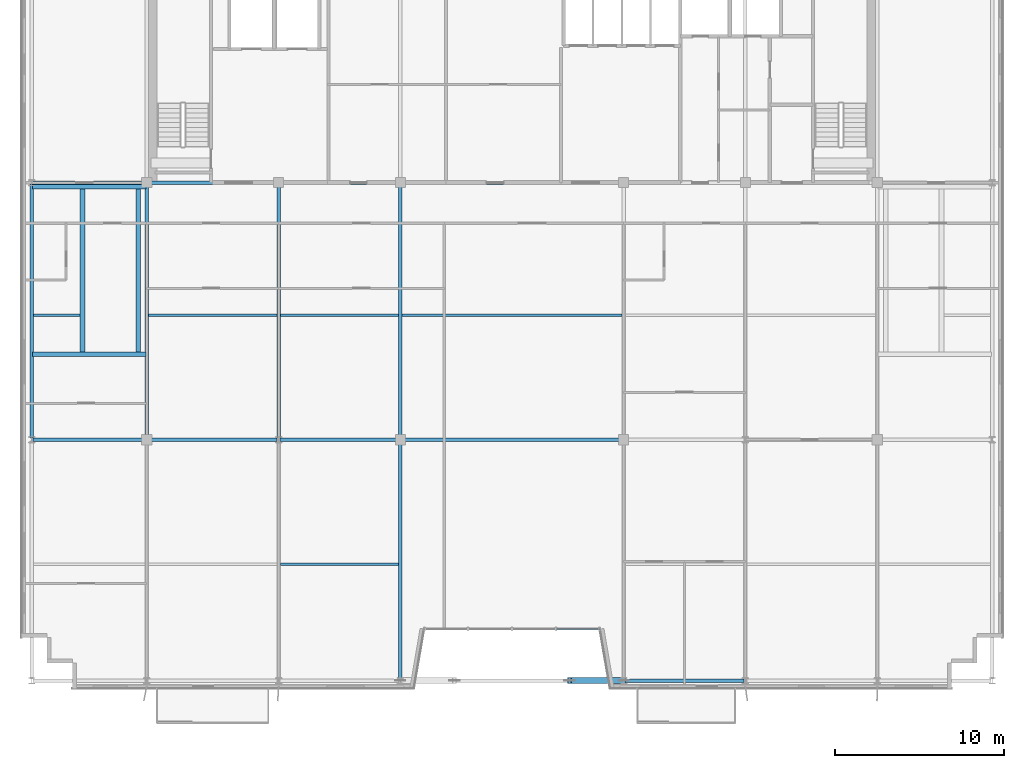
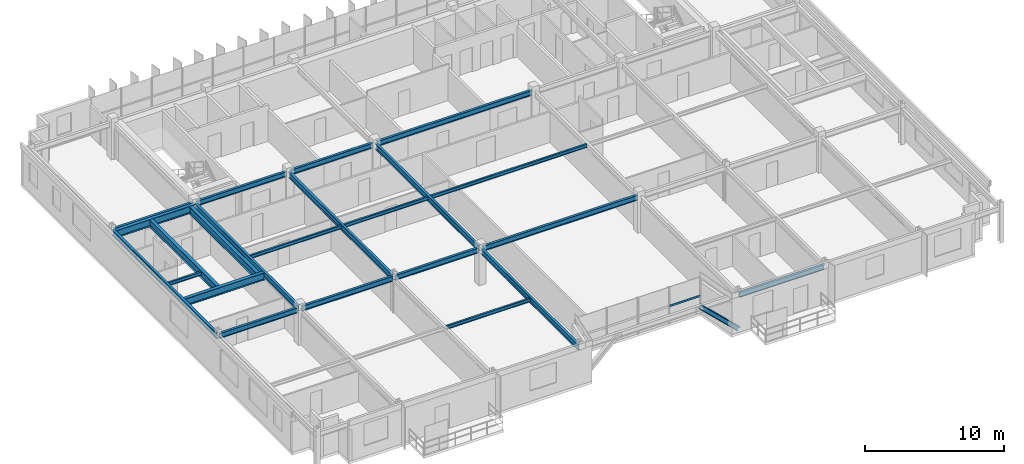
# One storey, part 7 of 26: 23 beams, 2 members, 1 element without a shape of its own.
"""IFC4 building model written with IfcOpenShell, lengths in metres."""

import ifcopenshell
import ifcopenshell.guid

model = None  # the IFC model being written
_history = None  # IfcOwnerHistory: only IFC2X3 demands one
_inside = {}  # id of a spatial element -> (the spatial element, [elements in it])
_under = {}  # id of a project, library or spatial element -> (it, [spatial elements below it])
_declared = {}  # id of a project -> (the project, [libraries it declares])
_typed = {}  # id of a type object -> (the type object, [elements of that type])
_made_of = {}  # id of a material, layer set ... -> (it, [elements and type objects made of it])


def new_model(schema):
    """Start an empty IFC model of exactly this schema.

    Asked for "IFC4X3", IfcOpenShell would pick the latest addendum, in which some entities
    have other attributes; the version numbers below select the first issue.
    IFC2X3 requires an IfcOwnerHistory on every rooted entity: one is made here for all.
    """
    global model, _history
    if schema == "IFC4X3":
        model = ifcopenshell.file(schema_version=(4, 3, 0, 0))
    else:
        model = ifcopenshell.file(schema=schema)
    _inside.clear()
    _under.clear()
    _declared.clear()
    _typed.clear()
    _made_of.clear()
    _history = None
    if model.schema == "IFC2X3":
        org = make("IfcOrganization", Name="unknown")
        user = make(
            "IfcPersonAndOrganization",
            ThePerson=make("IfcPerson", FamilyName="unknown"),
            TheOrganization=org,
        )
        app = make(
            "IfcApplication",
            ApplicationDeveloper=org,
            Version="unknown",
            ApplicationFullName="unknown",
            ApplicationIdentifier="unknown",
        )
        _history = make(
            "IfcOwnerHistory",
            OwningUser=user,
            OwningApplication=app,
            ChangeAction="ADDED",
            CreationDate=0,
        )
    return model


def make(cls, **values):
    """One entity of the class cls with the attributes given. An attribute that is None is left unset."""
    return model.create_entity(
        cls, **{name: value for name, value in values.items() if value is not None}
    )


def rooted(cls, **values):
    """An entity with a GlobalId (a new one), such as an element, a storey or a relation."""
    return make(cls, GlobalId=ifcopenshell.guid.new(), OwnerHistory=_history, **values)


def si_unit(unit_type, name, prefix=None):
    """IfcSIUnit, for example si_unit("LENGTHUNIT", "METRE", prefix="MILLI")."""
    return make("IfcSIUnit", UnitType=unit_type, Prefix=prefix, Name=name)


def assignment(units):
    """IfcUnitAssignment: the units of a project."""
    return None if units is None else make("IfcUnitAssignment", Units=units)


def point(xyz):
    """IfcCartesianPoint."""
    return None if xyz is None else make("IfcCartesianPoint", Coordinates=xyz)


def direction(xyz):
    """IfcDirection."""
    return None if xyz is None else make("IfcDirection", DirectionRatios=xyz)


def frame(location, z_axis=None, x_axis=None):
    """IfcAxis2Placement3D, a coordinate frame: its origin and axes. An axis left out is left unset."""
    return make(
        "IfcAxis2Placement3D",
        Location=point(location),
        Axis=direction(z_axis),
        RefDirection=direction(x_axis),
    )


def frame_2d(location, x_axis=None):
    """IfcAxis2Placement2D, a coordinate frame in the plane: its origin and x axis."""
    return make(
        "IfcAxis2Placement2D", Location=point(location), RefDirection=direction(x_axis)
    )


def origin():
    """The frame at (0, 0, 0) with its axes left unset."""
    return frame((0.0, 0.0, 0.0))


def origin_2d():
    """The frame at (0, 0) in the plane with its x axis left unset."""
    return frame_2d((0.0, 0.0))


def place(relative_to, where):
    """IfcLocalPlacement: puts the frame where relative to a parent placement (None: the world)."""
    return make(
        "IfcLocalPlacement", PlacementRelTo=relative_to, RelativePlacement=where
    )


def context(
    kind, dimensions, precision=None, world=None, true_north=None, identifier=None
):
    """IfcGeometricRepresentationContext, for example the 3D "Model" context."""
    return make(
        "IfcGeometricRepresentationContext",
        ContextIdentifier=identifier,
        ContextType=kind,
        CoordinateSpaceDimension=dimensions,
        Precision=precision,
        WorldCoordinateSystem=world,
        TrueNorth=true_north,
    )


def subcontext(parent, identifier, kind, view, scale=None):
    """IfcGeometricRepresentationSubContext, for example "Body" below "Model"."""
    return make(
        "IfcGeometricRepresentationSubContext",
        ContextIdentifier=identifier,
        ContextType=kind,
        ParentContext=parent,
        TargetScale=scale,
        TargetView=view,
    )


def project(units=None, contexts=None):
    """IfcProject with its units and contexts."""
    return rooted(
        "IfcProject",
        Name="project",
        RepresentationContexts=contexts,
        UnitsInContext=assignment(units),
    )


def spatial(cls, under=None, at=None, **own):
    """A site, building, storey or space (cls), placed at a placement, below another one or the project."""
    s = rooted(cls, ObjectPlacement=at, **own)
    if under is not None:
        _under.setdefault(under.id(), (under, []))[1].append(s)
    return s


def profile(cls, at=None, kind="AREA", **sizes):
    """A parametric profile (cls). Its sizes go by their IFC names, for example OverallWidth=200.0."""
    return make(cls, ProfileType=kind, Position=at, **sizes)


def hollow_rectangle(**sizes):
    """IfcRectangleHollowProfileDef."""
    return profile("IfcRectangleHollowProfileDef", **sizes)


def i_section(**sizes):
    """IfcIShapeProfileDef."""
    return profile("IfcIShapeProfileDef", **sizes)


def extrude(swept, where, along, depth):
    """IfcExtrudedAreaSolid: the profile swept, set in the frame where, extruded along a direction by depth."""
    return make(
        "IfcExtrudedAreaSolid",
        SweptArea=swept,
        Position=where,
        ExtrudedDirection=direction(along),
        Depth=depth,
    )


def shape(context_of_items, identifier, shape_type, items):
    """IfcShapeRepresentation: the items that make up one representation, for example the "Body"."""
    return make(
        "IfcShapeRepresentation",
        ContextOfItems=context_of_items,
        RepresentationIdentifier=identifier,
        RepresentationType=shape_type,
        Items=items,
    )


def source(mapping_origin, context_of_items, identifier, shape_type, items):
    """IfcRepresentationMap: a shape defined once, which mapped items show again and again."""
    return make(
        "IfcRepresentationMap",
        MappingOrigin=mapping_origin,
        MappedRepresentation=shape(context_of_items, identifier, shape_type, items),
    )


def transform(
    local_origin,
    x_axis=None,
    y_axis=None,
    z_axis=None,
    scale=None,
    scale2=None,
    scale3=None,
    uniform=True,
):
    """IfcCartesianTransformationOperator3D, or its non-uniform kind. x_axis, y_axis, z_axis: its Axis1, 2, 3."""
    if uniform:
        return make(
            "IfcCartesianTransformationOperator3D",
            Axis1=direction(x_axis),
            Axis2=direction(y_axis),
            LocalOrigin=point(local_origin),
            Scale=scale,
            Axis3=direction(z_axis),
        )
    return make(
        "IfcCartesianTransformationOperator3DnonUniform",
        Axis1=direction(x_axis),
        Axis2=direction(y_axis),
        LocalOrigin=point(local_origin),
        Scale=scale,
        Axis3=direction(z_axis),
        Scale2=scale2,
        Scale3=scale3,
    )


def mapped(mapping_source, mapping_target):
    """IfcMappedItem: shows the shape of a source again, moved by a transform."""
    return make(
        "IfcMappedItem", MappingSource=mapping_source, MappingTarget=mapping_target
    )


def material(Name=None, Category=None):
    """IfcMaterial."""
    return make("IfcMaterial", Name=Name, Category=Category)


def material_profile(
    of_material, cross_section, Name=None, Category=None, Priority=None
):
    """IfcMaterialProfile: a cross section and its material."""
    return make(
        "IfcMaterialProfile",
        Name=Name,
        Material=of_material,
        Profile=cross_section,
        Priority=Priority,
        Category=Category,
    )


def profile_set(profiles, Name=None, composite=None):
    """IfcMaterialProfileSet."""
    return make(
        "IfcMaterialProfileSet",
        Name=Name,
        MaterialProfiles=profiles,
        CompositeProfile=composite,
    )


def made_of(thing, what):
    """Note that an element or type object is made of a material, layer set ...; save() writes the relation."""
    if what is not None:
        _made_of.setdefault(what.id(), (what, []))[1].append(thing)
    return thing


def type_object(cls, material=None, **own):
    """A type object (cls), such as IfcWallType, which elements share."""
    return made_of(rooted(cls, **own), material)


def element(
    cls,
    number,
    at=None,
    inside=None,
    cuts=None,
    type_object=None,
    material=None,
    context=None,
    identifier="Body",
    shape_type=None,
    held_by="IfcProductDefinitionShape",
    body=None,
    shapes=None,
    **own,
):
    """One element of the class cls, such as IfcWall. Its Tag is "e" and its number.

    at: its placement. inside: the storey or other place that contains it. cuts: it is an
    opening in that element (IfcRelVoidsElement). A single representation is given by context,
    identifier, shape_type and body (its items); several are given by shapes. held_by: the class
    of the entity that holds the representations. save() writes the other relations.
    """
    e = rooted(cls, Tag="e%d" % number, ObjectPlacement=at, **own)
    if body is not None:
        shapes = [shape(context, identifier, shape_type, body)]
    if shapes is not None:
        e.Representation = make(held_by, Representations=shapes)
    if inside is not None:
        _inside.setdefault(inside.id(), (inside, []))[1].append(e)
    if cuts is not None:
        rooted(
            "IfcRelVoidsElement", RelatingBuildingElement=cuts, RelatedOpeningElement=e
        )
    if type_object is not None:
        _typed.setdefault(type_object.id(), (type_object, []))[1].append(e)
    return made_of(e, material)


def aggregate(whole, parts):
    """IfcRelAggregates: a whole, such as a stair, and the parts it consists of."""
    return rooted("IfcRelAggregates", RelatingObject=whole, RelatedObjects=parts)


def save(model, path):
    """Write the relations noted so far, then the file.

    IfcRelAggregates (storeys below a building ...), IfcRelContainedInSpatialStructure (elements
    in a storey), IfcRelDefinesByType, IfcRelAssociatesMaterial and IfcRelDeclares: one each for
    every whole, place, type object, material and project.
    """
    for whole, parts in _under.values():
        aggregate(whole, parts)
    for where, things in _inside.values():
        rooted(
            "IfcRelContainedInSpatialStructure",
            RelatedElements=things,
            RelatingStructure=where,
        )
    for kind, things in _typed.values():
        rooted("IfcRelDefinesByType", RelatedObjects=things, RelatingType=kind)
    for what, things in _made_of.values():
        rooted("IfcRelAssociatesMaterial", RelatedObjects=things, RelatingMaterial=what)
    for by, libraries in _declared.values():
        rooted("IfcRelDeclares", RelatingContext=by, RelatedDefinitions=libraries)
    model.write(path)


model = new_model("IFC4")

# Units and contexts
model_context = context("Model", 3, precision=1e-05, world=origin(), true_north=direction((0.0, 1.0)))
body_context = subcontext(model_context, "Body", "Model", "MODEL_VIEW")
ifc_project = project(units=[si_unit("LENGTHUNIT", "METRE"), si_unit("AREAUNIT", "SQUARE_METRE"), si_unit("VOLUMEUNIT", "CUBIC_METRE"), si_unit("PLANEANGLEUNIT", "RADIAN"), si_unit("MASSUNIT", "GRAM", prefix="KILO")], contexts=[model_context])

# Site, building, storey
site_placement = place(None, origin())
site = spatial("IfcSite", under=ifc_project, at=site_placement, CompositionType="ELEMENT")
building_placement = place(site_placement, origin())
building = spatial("IfcBuilding", under=site, at=building_placement, Name="Trelvane Seafront Commons", CompositionType="ELEMENT")
storey_placement = place(building_placement, frame((0.0, 0.0, 291.89990234375)))
storey = spatial("IfcBuildingStorey", under=building, at=storey_placement, Name="L76", CompositionType="ELEMENT", Elevation=291.89990234375)

# Beams
ifc_material_1 = material(Name="Steel SM355 (S355)", Category="steel")
ifc_material_profile_1 = material_profile(ifc_material_1, i_section(OverallWidth=0.199951171875, OverallDepth=0.5, WebThickness=0.010009765625, FlangeThickness=0.01611328125, at=origin_2d()), Name="H-500x200x10x16")
ifc_profile_set_1 = profile_set([ifc_material_profile_1], Name="Steel SM355 (S355)")
beam_type_1 = type_object("IfcBeamType", Name="STR-BM-H500", PredefinedType="BEAM", material=ifc_profile_set_1)
shared_shape_1 = source(origin(), body_context, "Body", "SweptSolid", [
    extrude(i_section(OverallWidth=0.199951171875, OverallDepth=0.5, WebThickness=0.010009765625, FlangeThickness=0.01611328125, at=origin_2d()), origin(), (0.0, 0.0, 1.0), 14.89990234375),
])
for number, where, z_axis, x_axis, name in (
    (1, (15.60009765625, 18.35009765625, 2.93017578125), (0.0, 1.0, 0.0), (-1.0, 0.0, 0.0), "L76 Primary Girder G-33"),
    (2, (30.60009765625, 18.35009765625, 2.93017578125), (0.0, 1.0, 0.0), (-1.0, 0.0, 0.0), "L76 Primary Girder G-39"),
):
    element("IfcBeam", number, at=place(storey_placement, frame(where, z_axis=z_axis, x_axis=x_axis)), inside=storey, type_object=beam_type_1, Name=name, PredefinedType="BEAM", context=body_context, shape_type="MappedRepresentation", body=[
        mapped(shared_shape_1, transform((0.0, 0.0, 0.0), x_axis=(1.0, 0.0, 0.0), y_axis=(0.0, 1.0, 0.0), z_axis=(0.0, 0.0, 1.0), scale=1.0)),
    ])
ifc_material_profile_2 = material_profile(ifc_material_1, i_section(OverallWidth=0.199951171875, OverallDepth=0.449951171875, WebThickness=0.009033203125, FlangeThickness=0.013916015625, at=origin_2d()), Name="H-450x200x9x14")
ifc_profile_set_2 = profile_set([ifc_material_profile_2], Name="Steel SM355 (S355)")
beam_type_2 = type_object("IfcBeamType", Name="STR-SPD-H450", PredefinedType="SPANDREL", material=ifc_profile_set_2)
shared_shape_2 = source(origin(), body_context, "Body", "SweptSolid", [
    extrude(i_section(OverallWidth=0.199951171875, OverallDepth=0.449951171875, WebThickness=0.009033203125, FlangeThickness=0.013916015625, at=origin_2d()), origin(), (0.0, 0.0, 1.0), 7.025146484375),
])
beam_1_placement = place(storey_placement, frame((43.887451171875, 3.949951171875, 2.955078125), z_axis=(1.0, 0.0, 0.0), x_axis=(0.0, 1.0, 0.0)))
element("IfcBeam", 3, at=beam_1_placement, inside=storey, type_object=beam_type_2, Name="L76 Primary Girder G-05", PredefinedType="SPANDREL", context=body_context, shape_type="MappedRepresentation", body=[
    mapped(shared_shape_2, transform((0.0, 0.0, 0.0), x_axis=(1.0, 0.0, 0.0), y_axis=(0.0, 1.0, 0.0), z_axis=(0.0, 0.0, 1.0), scale=1.0)),
])
shared_shape_3 = source(origin(), body_context, "Body", "SweptSolid", [
    extrude(i_section(OverallWidth=0.199951171875, OverallDepth=0.449951171875, WebThickness=0.009033203125, FlangeThickness=0.013916015625, at=origin_2d()), origin(), (0.0, 0.0, 1.0), 6.5625),
])
for number, where, z_axis, x_axis, name in (
    (4, (8.887451171875, 18.199951171875, 2.955078125), (1.0, 0.0, 0.0), (0.0, 1.0, 0.0), "L76 Primary Girder G-08"),
    (5, (8.887451171875, 33.39990234375, 2.955078125), (1.0, 0.0, 0.0), (0.0, 1.0, 0.0), "L76 Primary Girder G-15"),
):
    element("IfcBeam", number, at=place(storey_placement, frame(where, z_axis=z_axis, x_axis=x_axis)), inside=storey, type_object=beam_type_2, Name=name, PredefinedType="SPANDREL", context=body_context, shape_type="MappedRepresentation", body=[
        mapped(shared_shape_3, transform((0.0, 0.0, 0.0), x_axis=(1.0, 0.0, 0.0), y_axis=(0.0, 1.0, 0.0), z_axis=(0.0, 0.0, 1.0), scale=1.0)),
    ])
shared_shape_4 = source(origin(), body_context, "Body", "SweptSolid", [
    extrude(i_section(OverallWidth=0.199951171875, OverallDepth=0.449951171875, WebThickness=0.009033203125, FlangeThickness=0.013916015625, at=origin_2d()), origin(), (0.0, 0.0, 1.0), 7.5625),
])
beam_2_placement = place(storey_placement, frame((15.75, 18.199951171875, 2.955078125), z_axis=(1.0, 0.0, 0.0), x_axis=(0.0, 1.0, 0.0)))
element("IfcBeam", 6, at=beam_2_placement, inside=storey, type_object=beam_type_2, Name="L76 Primary Girder G-09", PredefinedType="SPANDREL", context=body_context, shape_type="MappedRepresentation", body=[
    mapped(shared_shape_4, transform((0.0, 0.0, 0.0), x_axis=(1.0, 0.0, 0.0), y_axis=(0.0, 1.0, 0.0), z_axis=(0.0, 0.0, 1.0), scale=1.0)),
])
shared_shape_5 = source(origin(), body_context, "Body", "SweptSolid", [
    extrude(i_section(OverallWidth=0.199951171875, OverallDepth=0.449951171875, WebThickness=0.009033203125, FlangeThickness=0.013916015625, at=origin_2d()), origin(), (0.0, 0.0, 1.0), 6.96240234375),
])
beam_3_placement = place(storey_placement, frame((23.487548828125, 18.199951171875, 2.955078125), z_axis=(1.0, 0.0, 0.0), x_axis=(0.0, 1.0, 0.0)))
element("IfcBeam", 7, at=beam_3_placement, inside=storey, type_object=beam_type_2, Name="L76 Primary Girder G-10", PredefinedType="SPANDREL", context=body_context, shape_type="MappedRepresentation", body=[
    mapped(shared_shape_5, transform((0.0, 0.0, 0.0), x_axis=(1.0, 0.0, 0.0), y_axis=(0.0, 1.0, 0.0), z_axis=(0.0, 0.0, 1.0), scale=1.0)),
])
shared_shape_6 = source(origin(), body_context, "Body", "SweptSolid", [
    extrude(i_section(OverallWidth=0.199951171875, OverallDepth=0.449951171875, WebThickness=0.009033203125, FlangeThickness=0.013916015625, at=origin_2d()), origin(), (0.0, 0.0, 1.0), 7.5),
])
beam_4_placement = place(storey_placement, frame((15.75, 33.39990234375, 2.955078125), z_axis=(1.0, 0.0, 0.0), x_axis=(0.0, 1.0, 0.0)))
element("IfcBeam", 8, at=beam_4_placement, inside=storey, type_object=beam_type_2, Name="L76 Primary Girder G-16", PredefinedType="SPANDREL", context=body_context, shape_type="MappedRepresentation", body=[
    mapped(shared_shape_6, transform((0.0, 0.0, 0.0), x_axis=(1.0, 0.0, 0.0), y_axis=(0.0, 1.0, 0.0), z_axis=(0.0, 0.0, 1.0), scale=1.0)),
])
shared_shape_7 = source(origin(), body_context, "Body", "SweptSolid", [
    extrude(i_section(OverallWidth=0.199951171875, OverallDepth=0.449951171875, WebThickness=0.009033203125, FlangeThickness=0.013916015625, at=origin_2d()), origin(), (0.0, 0.0, 1.0), 6.89990234375),
])
beam_5_placement = place(storey_placement, frame((23.550048828125, 33.39990234375, 2.955078125), z_axis=(1.0, 0.0, 0.0), x_axis=(0.0, 1.0, 0.0)))
element("IfcBeam", 9, at=beam_5_placement, inside=storey, type_object=beam_type_2, Name="L76 Primary Girder G-17", PredefinedType="SPANDREL", context=body_context, shape_type="MappedRepresentation", body=[
    mapped(shared_shape_7, transform((0.0, 0.0, 0.0), x_axis=(1.0, 0.0, 0.0), y_axis=(0.0, 1.0, 0.0), z_axis=(0.0, 0.0, 1.0), scale=1.0)),
])
shared_shape_8 = source(origin(), body_context, "Body", "SweptSolid", [
    extrude(i_section(OverallWidth=0.199951171875, OverallDepth=0.449951171875, WebThickness=0.009033203125, FlangeThickness=0.013916015625, at=origin_2d()), origin(), (0.0, 0.0, 1.0), 12.89990234375),
])
for number, where, z_axis, x_axis, name in (
    (10, (30.75, 18.199951171875, 2.955078125), (1.0, 0.0, 0.0), (0.0, 1.0, 0.0), "L76 Primary Girder G-11"),
    (11, (30.75, 33.39990234375, 2.955078125), (1.0, 0.0, 0.0), (0.0, 1.0, 0.0), "L76 Primary Girder G-18"),
):
    element("IfcBeam", number, at=place(storey_placement, frame(where, z_axis=z_axis, x_axis=x_axis)), inside=storey, type_object=beam_type_2, Name=name, PredefinedType="SPANDREL", context=body_context, shape_type="MappedRepresentation", body=[
        mapped(shared_shape_8, transform((0.0, 0.0, 0.0), x_axis=(1.0, 0.0, 0.0), y_axis=(0.0, 1.0, 0.0), z_axis=(0.0, 0.0, 1.0), scale=1.0)),
    ])
shared_shape_9 = source(origin(), body_context, "Body", "SweptSolid", [
    extrude(i_section(OverallWidth=0.199951171875, OverallDepth=0.5, WebThickness=0.010009765625, FlangeThickness=0.01611328125, at=origin_2d()), origin(), (0.0, 0.0, 1.0), 15.02490234375),
])
beam_6_placement = place(storey_placement, frame((8.800048828125, 18.28759765625, 2.93017578125), z_axis=(0.0, 1.0, 0.0), x_axis=(-1.0, 0.0, 0.0)))
element("IfcBeam", 12, at=beam_6_placement, inside=storey, type_object=beam_type_1, Name="L76 Primary Girder G-30", PredefinedType="BEAM", context=body_context, shape_type="MappedRepresentation", body=[
    mapped(shared_shape_9, transform((0.0, 0.0, 0.0), x_axis=(1.0, 0.0, 0.0), y_axis=(0.0, 1.0, 0.0), z_axis=(0.0, 0.0, 1.0), scale=1.0)),
])
shared_shape_10 = source(origin(), body_context, "Body", "SweptSolid", [
    extrude(i_section(OverallWidth=0.199951171875, OverallDepth=0.5, WebThickness=0.010009765625, FlangeThickness=0.01611328125, at=origin_2d()), origin(), (0.0, 0.0, 1.0), 14.012451171875),
])
beam_7_placement = place(storey_placement, frame((30.60009765625, 4.03759765625, 2.93017578125), z_axis=(0.0, 1.0, 0.0), x_axis=(-1.0, 0.0, 0.0)))
element("IfcBeam", 13, at=beam_7_placement, inside=storey, type_object=beam_type_1, Name="L76 Primary Girder G-38", PredefinedType="BEAM", context=body_context, shape_type="MappedRepresentation", body=[
    mapped(shared_shape_10, transform((0.0, 0.0, 0.0), x_axis=(1.0, 0.0, 0.0), y_axis=(0.0, 1.0, 0.0), z_axis=(0.0, 0.0, 1.0), scale=1.0)),
])
shared_shape_11 = source(origin(), body_context, "Body", "SweptSolid", [
    extrude(i_section(OverallWidth=0.199951171875, OverallDepth=0.5, WebThickness=0.010009765625, FlangeThickness=0.01611328125, at=origin_2d()), origin(), (0.0, 0.0, 1.0), 14.96240234375),
])
beam_8_placement = place(storey_placement, frame((23.39990234375, 18.28759765625, 2.93017578125), z_axis=(0.0, 1.0, 0.0), x_axis=(-1.0, 0.0, 0.0)))
element("IfcBeam", 14, at=beam_8_placement, inside=storey, type_object=beam_type_1, Name="L76 Primary Girder G-36", PredefinedType="BEAM", context=body_context, shape_type="MappedRepresentation", body=[
    mapped(shared_shape_11, transform((0.0, 0.0, 0.0), x_axis=(1.0, 0.0, 0.0), y_axis=(0.0, 1.0, 0.0), z_axis=(0.0, 0.0, 1.0), scale=1.0)),
])
ifc_material_profile_3 = material_profile(ifc_material_1, i_section(OverallWidth=0.14990234375, OverallDepth=0.300048828125, WebThickness=0.006591796875, FlangeThickness=0.009033203125, at=origin_2d()), Name="H-300x150x6.5x9")
ifc_profile_set_3 = profile_set([ifc_material_profile_3], Name="Steel SM355 (S355)")
beam_type_3 = type_object("IfcBeamType", Name="STR-JST-H300", PredefinedType="JOIST", material=ifc_profile_set_3)
shared_shape_12 = source(origin(), body_context, "Body", "SweptSolid", [
    extrude(i_section(OverallWidth=0.14990234375, OverallDepth=0.300048828125, WebThickness=0.006591796875, FlangeThickness=0.009033203125, at=origin_2d()), origin(), (0.0, 0.0, 1.0), 7.60009765625),
])
beam_9_placement = place(storey_placement, frame((15.699951171875, 25.550048828125, 3.030029296875), z_axis=(1.0, 0.0, 0.0), x_axis=(0.0, 1.0, 0.0)))
element("IfcBeam", 15, at=beam_9_placement, inside=storey, type_object=beam_type_3, Name="L76 Secondary Floor Joist B-60", PredefinedType="JOIST", context=body_context, shape_type="MappedRepresentation", body=[
    mapped(shared_shape_12, transform((0.0, 0.0, 0.0), x_axis=(1.0, 0.0, 0.0), y_axis=(0.0, 1.0, 0.0), z_axis=(0.0, 0.0, 1.0), scale=1.0)),
])
shared_shape_13 = source(origin(), body_context, "Body", "SweptSolid", [
    extrude(i_section(OverallWidth=0.14990234375, OverallDepth=0.300048828125, WebThickness=0.006591796875, FlangeThickness=0.009033203125, at=origin_2d()), origin(), (0.0, 0.0, 1.0), 7.0),
])
for number, where, z_axis, x_axis, name in (
    (16, (23.5, 10.824951171875, 3.030029296875), (1.0, 0.0, 0.0), (0.0, 1.0, 0.0), "L76 Secondary Floor Joist B-55"),
    (17, (23.5, 25.550048828125, 3.030029296875), (1.0, 0.0, 0.0), (0.0, 1.0, 0.0), "L76 Secondary Floor Joist B-61"),
):
    element("IfcBeam", number, at=place(storey_placement, frame(where, z_axis=z_axis, x_axis=x_axis)), inside=storey, type_object=beam_type_3, Name=name, PredefinedType="JOIST", context=body_context, shape_type="MappedRepresentation", body=[
        mapped(shared_shape_13, transform((0.0, 0.0, 0.0), x_axis=(1.0, 0.0, 0.0), y_axis=(0.0, 1.0, 0.0), z_axis=(0.0, 0.0, 1.0), scale=1.0)),
    ])
shared_shape_14 = source(origin(), body_context, "Body", "SweptSolid", [
    extrude(i_section(OverallWidth=0.14990234375, OverallDepth=0.300048828125, WebThickness=0.006591796875, FlangeThickness=0.009033203125, at=origin_2d()), origin(), (0.0, 0.0, 1.0), 13.0),
])
beam_10_placement = place(storey_placement, frame((30.699951171875, 25.550048828125, 3.030029296875), z_axis=(1.0, 0.0, 0.0), x_axis=(0.0, 1.0, 0.0)))
element("IfcBeam", 18, at=beam_10_placement, inside=storey, type_object=beam_type_3, Name="L76 Secondary Floor Joist B-62", PredefinedType="JOIST", context=body_context, shape_type="MappedRepresentation", body=[
    mapped(shared_shape_14, transform((0.0, 0.0, 0.0), x_axis=(1.0, 0.0, 0.0), y_axis=(0.0, 1.0, 0.0), z_axis=(0.0, 0.0, 1.0), scale=1.0)),
])
shared_shape_15 = source(origin(), body_context, "Body", "SweptSolid", [
    extrude(i_section(OverallWidth=0.14990234375, OverallDepth=0.300048828125, WebThickness=0.006591796875, FlangeThickness=0.009033203125, at=origin_2d()), origin(), (0.0, 0.0, 1.0), 2.760009765625),
])
beam_11_placement = place(storey_placement, frame((8.89990234375, 25.550048828125, 3.030029296875), z_axis=(1.0, 0.0, 0.0), x_axis=(0.0, 1.0, 0.0)))
element("IfcBeam", 19, at=beam_11_placement, inside=storey, type_object=beam_type_3, Name="L76 Secondary Floor Joist B-59", PredefinedType="JOIST", context=body_context, shape_type="MappedRepresentation", body=[
    mapped(shared_shape_15, transform((0.0, 0.0, 0.0), x_axis=(1.0, 0.0, 0.0), y_axis=(0.0, 1.0, 0.0), z_axis=(0.0, 0.0, 1.0), scale=1.0)),
])
ifc_material_profile_4 = material_profile(ifc_material_1, i_section(OverallWidth=0.280029296875, OverallDepth=0.64990234375, WebThickness=0.012939453125, FlangeThickness=0.02197265625, at=origin_2d()), Name="H-650x280x13x22")
ifc_profile_set_4 = profile_set([ifc_material_profile_4], Name="Steel SM355 (S355)")
beam_type_4 = type_object("IfcBeamType", Name="STR-BM-H650", PredefinedType="BEAM", material=ifc_profile_set_4)
shared_shape_16 = source(origin(), body_context, "Body", "SweptSolid", [
    extrude(i_section(OverallWidth=0.280029296875, OverallDepth=0.64990234375, WebThickness=0.012939453125, FlangeThickness=0.02197265625, at=origin_2d()), origin(), (0.0, 0.0, 1.0), 6.699951171875),
])
for number, where, z_axis, x_axis, name in (
    (20, (8.85009765625, 23.25, 2.85498046875), (1.0, 0.0, 0.0), (0.0, 1.0, 0.0), "L76 Crown Stair Support Girder G-68"),
    (21, (8.85009765625, 33.14990234375, 2.85498046875), (1.0, 0.0, 0.0), (0.0, 1.0, 0.0), "L76 Crown Stair Support Girder G-69"),
):
    element("IfcBeam", number, at=place(storey_placement, frame(where, z_axis=z_axis, x_axis=x_axis)), inside=storey, type_object=beam_type_4, Name=name, PredefinedType="BEAM", context=body_context, shape_type="MappedRepresentation", body=[
        mapped(shared_shape_16, transform((0.0, 0.0, 0.0), x_axis=(1.0, 0.0, 0.0), y_axis=(0.0, 1.0, 0.0), z_axis=(0.0, 0.0, 1.0), scale=1.0)),
    ])
shared_shape_17 = source(origin(), body_context, "Body", "SweptSolid", [
    extrude(i_section(OverallWidth=0.280029296875, OverallDepth=0.64990234375, WebThickness=0.012939453125, FlangeThickness=0.02197265625, at=origin_2d()), origin(), (0.0, 0.0, 1.0), 10.14990234375),
])
for number, where, z_axis, x_axis, name in (
    (22, (11.800048828125, 23.25, 2.85498046875), (0.0, 1.0, 0.0), (-1.0, 0.0, 0.0), "L76 Crown Stair N-S Support Girder G-72"),
    (23, (15.10009765625, 23.25, 2.85498046875), (0.0, 1.0, 0.0), (-1.0, 0.0, 0.0), "L76 Crown Stair N-S Support Girder G-73"),
):
    element("IfcBeam", number, at=place(storey_placement, frame(where, z_axis=z_axis, x_axis=x_axis)), inside=storey, type_object=beam_type_4, Name=name, PredefinedType="BEAM", context=body_context, shape_type="MappedRepresentation", body=[
        mapped(shared_shape_17, transform((0.0, 0.0, 0.0), x_axis=(1.0, 0.0, 0.0), y_axis=(0.0, 1.0, 0.0), z_axis=(0.0, 0.0, 1.0), scale=1.0)),
    ])

# Member
ifc_material_profile_5 = material_profile(ifc_material_1, i_section(OverallWidth=0.35009765625, OverallDepth=0.35009765625, WebThickness=0.01806640625, FlangeThickness=0.028076171875, at=origin_2d()), Name="HD-350x350x18x28")
ifc_profile_set_5 = profile_set([ifc_material_profile_5], Name="Steel SM355 (S355)")
member_type_1 = type_object("IfcMemberType", Name="STR-BRC-HD350", PredefinedType="BRACE", material=ifc_profile_set_5)
shared_shape_18 = source(origin(), body_context, "Body", "SweptSolid", [
    extrude(i_section(OverallWidth=0.35009765625, OverallDepth=0.35009765625, WebThickness=0.01806640625, FlangeThickness=0.028076171875, at=origin_2d()), origin(), (0.0, 0.0, 1.0), 4.427490234375),
])
member_1_placement = place(storey_placement, frame((43.800048828125, 3.949951171875, 0.0), z_axis=(-0.72272807338, 0.0, 0.691132499561), x_axis=(0.0, -1.0, 0.0)))
element("IfcMember", 24, at=member_1_placement, inside=storey, type_object=member_type_1, Name="L76 Sky-Garden V-Chevron Brace SGV-E", PredefinedType="BRACE", context=body_context, shape_type="MappedRepresentation", body=[
    mapped(shared_shape_18, transform((0.0, 0.0, 0.0), x_axis=(1.0, 0.0, 0.0), y_axis=(0.0, 1.0, 0.0), z_axis=(0.0, 0.0, 1.0), scale=1.0)),
])

# Curtain wall, member
ifc_material_2 = material(Name="Anodised pale-silver aluminium", Category="aluminium")
curtain_wall_type = type_object("IfcCurtainWallType", Name="ARCH-CW3-PORTAL", PredefinedType="NOTDEFINED", material=ifc_material_2)
curtain_wall_placement = place(storey_placement, origin())
curtain_wall = element("IfcCurtainWall", 25, at=curtain_wall_placement, inside=storey, type_object=curtain_wall_type, Name="CW-L76-VN-0121", PredefinedType="NOTDEFINED")
ifc_material_profile_6 = material_profile(ifc_material_2, hollow_rectangle(XDim=0.080078125, YDim=0.159912109375, WallThickness=0.00439453125, at=origin_2d()), Name="TRAN-80x160x4.5")
ifc_profile_set_6 = profile_set([ifc_material_profile_6], Name="Anodised pale-silver aluminium")
member_type_2 = type_object("IfcMemberType", Name="ARCH-CW-TRAN-160", PredefinedType="USERDEFINED", material=ifc_profile_set_6)
shared_shape_19 = source(origin(), body_context, "Body", "SweptSolid", [
    extrude(hollow_rectangle(XDim=0.080078125, YDim=0.159912109375, WallThickness=0.00439453125, at=origin_2d()), origin(), (0.0, 0.0, 1.0), 2.575927734375),
])
member_2_placement = place(storey_placement, frame((42.387939453125, 7.0, 1.526123046875), z_axis=(-1.0, 0.0, 0.0), x_axis=(0.0, -1.0, 0.0)))
member_2 = element("IfcMember", 26, at=member_2_placement, type_object=member_type_2, Name="CW-L76-VN-0121-T00", ObjectType="TRANSOM", PredefinedType="USERDEFINED", context=body_context, shape_type="MappedRepresentation", body=[
    mapped(shared_shape_19, transform((0.0, 0.0, 0.0), x_axis=(1.0, 0.0, 0.0), y_axis=(0.0, 1.0, 0.0), z_axis=(0.0, 0.0, 1.0), scale=1.0)),
])
aggregate(curtain_wall, [member_2])

save(model, "model.ifc")
